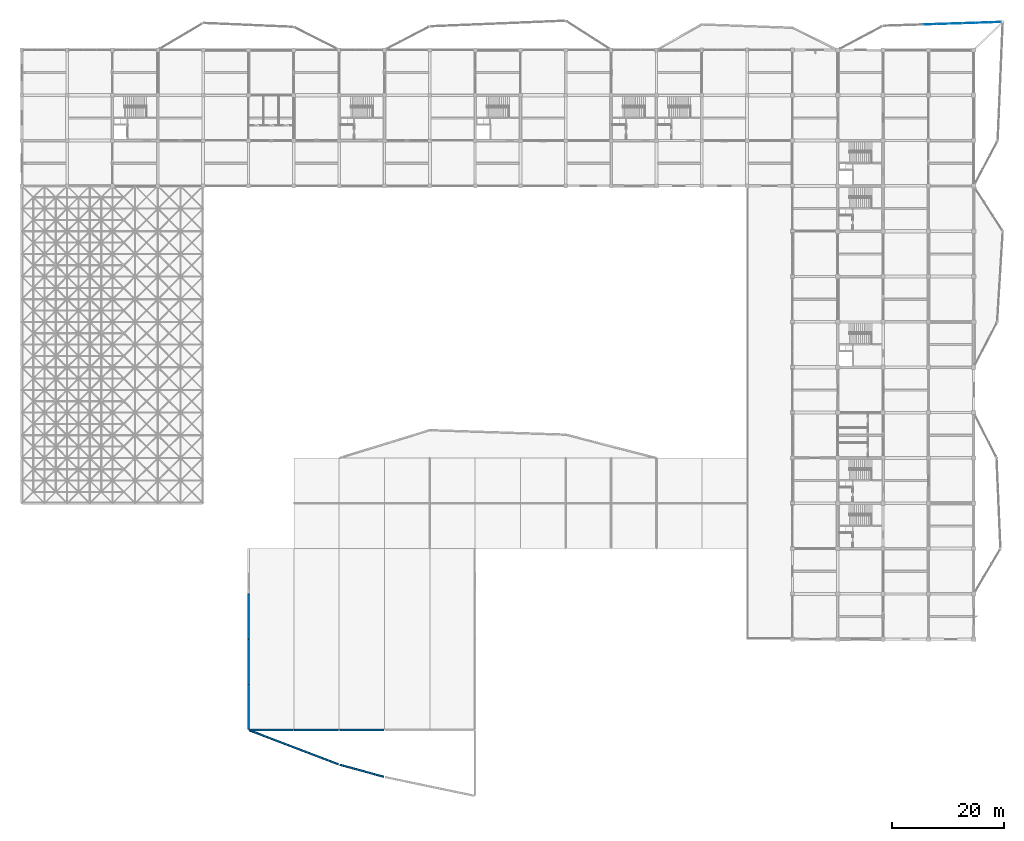
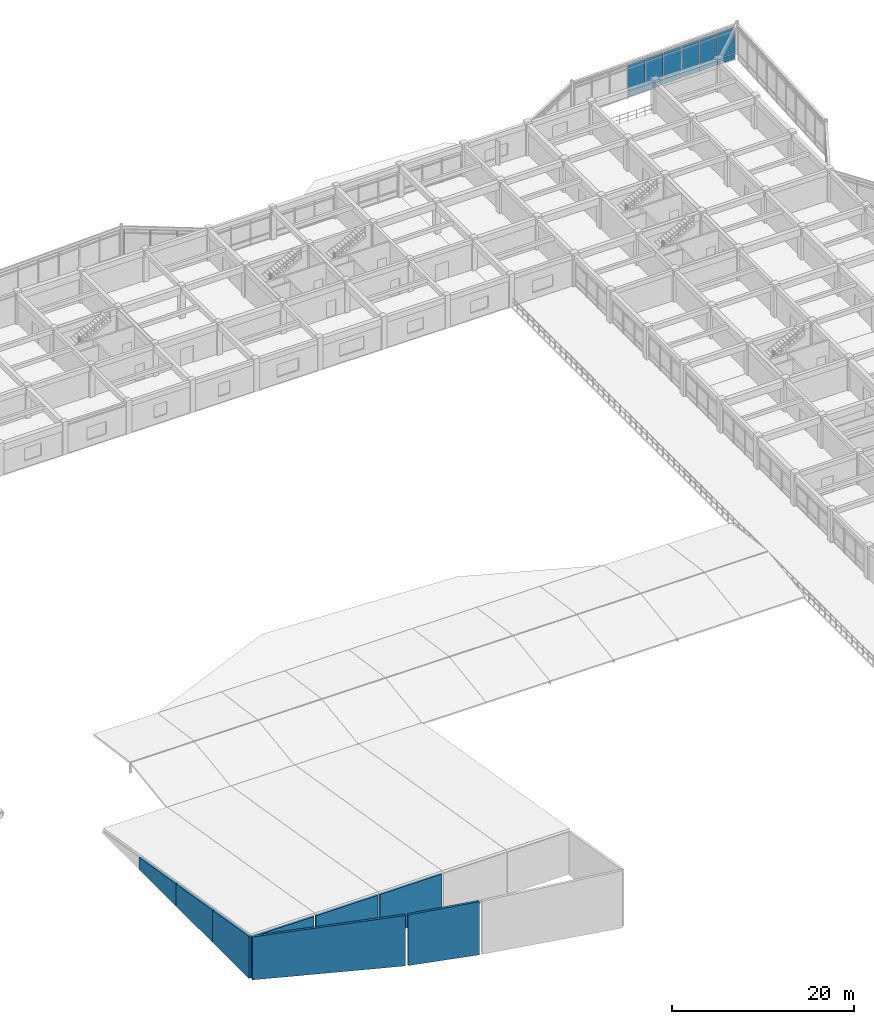
# One storey, part 45 of 70: 12 plates, 8 walls, 2 elements without a shape of their own.
"""IFC4 building model written with IfcOpenShell, lengths in metres."""

import ifcopenshell
import ifcopenshell.guid

model = None  # the IFC model being written
_history = None  # IfcOwnerHistory: only IFC2X3 demands one
_inside = {}  # id of a spatial element -> (the spatial element, [elements in it])
_under = {}  # id of a project, library or spatial element -> (it, [spatial elements below it])
_declared = {}  # id of a project -> (the project, [libraries it declares])
_typed = {}  # id of a type object -> (the type object, [elements of that type])
_made_of = {}  # id of a material, layer set ... -> (it, [elements and type objects made of it])


def new_model(schema):
    """Start an empty IFC model of exactly this schema.

    Asked for "IFC4X3", IfcOpenShell would pick the latest addendum, in which some entities
    have other attributes; the version numbers below select the first issue.
    IFC2X3 requires an IfcOwnerHistory on every rooted entity: one is made here for all.
    """
    global model, _history
    if schema == "IFC4X3":
        model = ifcopenshell.file(schema_version=(4, 3, 0, 0))
    else:
        model = ifcopenshell.file(schema=schema)
    _inside.clear()
    _under.clear()
    _declared.clear()
    _typed.clear()
    _made_of.clear()
    _history = None
    if model.schema == "IFC2X3":
        org = make("IfcOrganization", Name="unknown")
        user = make(
            "IfcPersonAndOrganization",
            ThePerson=make("IfcPerson", FamilyName="unknown"),
            TheOrganization=org,
        )
        app = make(
            "IfcApplication",
            ApplicationDeveloper=org,
            Version="unknown",
            ApplicationFullName="unknown",
            ApplicationIdentifier="unknown",
        )
        _history = make(
            "IfcOwnerHistory",
            OwningUser=user,
            OwningApplication=app,
            ChangeAction="ADDED",
            CreationDate=0,
        )
    return model


def make(cls, **values):
    """One entity of the class cls with the attributes given. An attribute that is None is left unset."""
    return model.create_entity(
        cls, **{name: value for name, value in values.items() if value is not None}
    )


def rooted(cls, **values):
    """An entity with a GlobalId (a new one), such as an element, a storey or a relation."""
    return make(cls, GlobalId=ifcopenshell.guid.new(), OwnerHistory=_history, **values)


def si_unit(unit_type, name, prefix=None):
    """IfcSIUnit, for example si_unit("LENGTHUNIT", "METRE", prefix="MILLI")."""
    return make("IfcSIUnit", UnitType=unit_type, Prefix=prefix, Name=name)


def assignment(units):
    """IfcUnitAssignment: the units of a project."""
    return None if units is None else make("IfcUnitAssignment", Units=units)


def point(xyz):
    """IfcCartesianPoint."""
    return None if xyz is None else make("IfcCartesianPoint", Coordinates=xyz)


def direction(xyz):
    """IfcDirection."""
    return None if xyz is None else make("IfcDirection", DirectionRatios=xyz)


def frame(location, z_axis=None, x_axis=None):
    """IfcAxis2Placement3D, a coordinate frame: its origin and axes. An axis left out is left unset."""
    return make(
        "IfcAxis2Placement3D",
        Location=point(location),
        Axis=direction(z_axis),
        RefDirection=direction(x_axis),
    )


def frame_2d(location, x_axis=None):
    """IfcAxis2Placement2D, a coordinate frame in the plane: its origin and x axis."""
    return make(
        "IfcAxis2Placement2D", Location=point(location), RefDirection=direction(x_axis)
    )


def origin():
    """The frame at (0, 0, 0) with its axes left unset."""
    return frame((0.0, 0.0, 0.0))


def origin_2d():
    """The frame at (0, 0) in the plane with its x axis left unset."""
    return frame_2d((0.0, 0.0))


def place(relative_to, where):
    """IfcLocalPlacement: puts the frame where relative to a parent placement (None: the world)."""
    return make(
        "IfcLocalPlacement", PlacementRelTo=relative_to, RelativePlacement=where
    )


def context(
    kind, dimensions, precision=None, world=None, true_north=None, identifier=None
):
    """IfcGeometricRepresentationContext, for example the 3D "Model" context."""
    return make(
        "IfcGeometricRepresentationContext",
        ContextIdentifier=identifier,
        ContextType=kind,
        CoordinateSpaceDimension=dimensions,
        Precision=precision,
        WorldCoordinateSystem=world,
        TrueNorth=true_north,
    )


def subcontext(parent, identifier, kind, view, scale=None):
    """IfcGeometricRepresentationSubContext, for example "Body" below "Model"."""
    return make(
        "IfcGeometricRepresentationSubContext",
        ContextIdentifier=identifier,
        ContextType=kind,
        ParentContext=parent,
        TargetScale=scale,
        TargetView=view,
    )


def project(units=None, contexts=None):
    """IfcProject with its units and contexts."""
    return rooted(
        "IfcProject",
        Name="project",
        RepresentationContexts=contexts,
        UnitsInContext=assignment(units),
    )


def spatial(cls, under=None, at=None, **own):
    """A site, building, storey or space (cls), placed at a placement, below another one or the project."""
    s = rooted(cls, ObjectPlacement=at, **own)
    if under is not None:
        _under.setdefault(under.id(), (under, []))[1].append(s)
    return s


def polyline(points):
    """IfcPolyline through the points."""
    return make("IfcPolyline", Points=[point(p) for p in points])


def profile(cls, at=None, kind="AREA", **sizes):
    """A parametric profile (cls). Its sizes go by their IFC names, for example OverallWidth=200.0."""
    return make(cls, ProfileType=kind, Position=at, **sizes)


def rectangle(**sizes):
    """IfcRectangleProfileDef."""
    return profile("IfcRectangleProfileDef", **sizes)


def outline(outer, holes=None, kind="AREA"):
    """IfcArbitraryClosedProfileDef: a profile drawn as a closed curve; with holes, ...WithVoids."""
    if holes is None:
        return make("IfcArbitraryClosedProfileDef", ProfileType=kind, OuterCurve=outer)
    return make(
        "IfcArbitraryProfileDefWithVoids",
        ProfileType=kind,
        OuterCurve=outer,
        InnerCurves=holes,
    )


def extrude(swept, where, along, depth):
    """IfcExtrudedAreaSolid: the profile swept, set in the frame where, extruded along a direction by depth."""
    return make(
        "IfcExtrudedAreaSolid",
        SweptArea=swept,
        Position=where,
        ExtrudedDirection=direction(along),
        Depth=depth,
    )


def shape(context_of_items, identifier, shape_type, items):
    """IfcShapeRepresentation: the items that make up one representation, for example the "Body"."""
    return make(
        "IfcShapeRepresentation",
        ContextOfItems=context_of_items,
        RepresentationIdentifier=identifier,
        RepresentationType=shape_type,
        Items=items,
    )


def material(Name=None, Category=None):
    """IfcMaterial."""
    return make("IfcMaterial", Name=Name, Category=Category)


def layer(
    of_material, thickness, ventilated=None, Name=None, Category=None, Priority=None
):
    """IfcMaterialLayer: one layer of a wall or slab, of a material (None: an air gap)."""
    return make(
        "IfcMaterialLayer",
        Material=of_material,
        LayerThickness=thickness,
        IsVentilated=ventilated,
        Name=Name,
        Category=Category,
        Priority=Priority,
    )


def layer_set(layers, Name=None):
    """IfcMaterialLayerSet."""
    return make("IfcMaterialLayerSet", MaterialLayers=layers, LayerSetName=Name)


def made_of(thing, what):
    """Note that an element or type object is made of a material, layer set ...; save() writes the relation."""
    if what is not None:
        _made_of.setdefault(what.id(), (what, []))[1].append(thing)
    return thing


def type_object(cls, material=None, **own):
    """A type object (cls), such as IfcWallType, which elements share."""
    return made_of(rooted(cls, **own), material)


def element(
    cls,
    number,
    at=None,
    inside=None,
    cuts=None,
    type_object=None,
    material=None,
    context=None,
    identifier="Body",
    shape_type=None,
    held_by="IfcProductDefinitionShape",
    body=None,
    shapes=None,
    **own,
):
    """One element of the class cls, such as IfcWall. Its Tag is "e" and its number.

    at: its placement. inside: the storey or other place that contains it. cuts: it is an
    opening in that element (IfcRelVoidsElement). A single representation is given by context,
    identifier, shape_type and body (its items); several are given by shapes. held_by: the class
    of the entity that holds the representations. save() writes the other relations.
    """
    e = rooted(cls, Tag="e%d" % number, ObjectPlacement=at, **own)
    if body is not None:
        shapes = [shape(context, identifier, shape_type, body)]
    if shapes is not None:
        e.Representation = make(held_by, Representations=shapes)
    if inside is not None:
        _inside.setdefault(inside.id(), (inside, []))[1].append(e)
    if cuts is not None:
        rooted(
            "IfcRelVoidsElement", RelatingBuildingElement=cuts, RelatedOpeningElement=e
        )
    if type_object is not None:
        _typed.setdefault(type_object.id(), (type_object, []))[1].append(e)
    return made_of(e, material)


def aggregate(whole, parts):
    """IfcRelAggregates: a whole, such as a stair, and the parts it consists of."""
    return rooted("IfcRelAggregates", RelatingObject=whole, RelatedObjects=parts)


def save(model, path):
    """Write the relations noted so far, then the file.

    IfcRelAggregates (storeys below a building ...), IfcRelContainedInSpatialStructure (elements
    in a storey), IfcRelDefinesByType, IfcRelAssociatesMaterial and IfcRelDeclares: one each for
    every whole, place, type object, material and project.
    """
    for whole, parts in _under.values():
        aggregate(whole, parts)
    for where, things in _inside.values():
        rooted(
            "IfcRelContainedInSpatialStructure",
            RelatedElements=things,
            RelatingStructure=where,
        )
    for kind, things in _typed.values():
        rooted("IfcRelDefinesByType", RelatedObjects=things, RelatingType=kind)
    for what, things in _made_of.values():
        rooted("IfcRelAssociatesMaterial", RelatedObjects=things, RelatingMaterial=what)
    for by, libraries in _declared.values():
        rooted("IfcRelDeclares", RelatingContext=by, RelatedDefinitions=libraries)
    model.write(path)


model = new_model("IFC4")

# Units and contexts
model_context = context("Model", 3, precision=1e-05, world=origin(), true_north=direction((0.0, 1.0)))
body_context = subcontext(model_context, "Body", "Model", "MODEL_VIEW")
ifc_project = project(units=[si_unit("LENGTHUNIT", "METRE"), si_unit("AREAUNIT", "SQUARE_METRE"), si_unit("VOLUMEUNIT", "CUBIC_METRE"), si_unit("PLANEANGLEUNIT", "RADIAN"), si_unit("MASSUNIT", "GRAM", prefix="KILO")], contexts=[model_context])

# Site, building, storey
site_placement = place(None, origin())
site = spatial("IfcSite", under=ifc_project, at=site_placement, CompositionType="ELEMENT")
building_placement = place(site_placement, origin())
building = spatial("IfcBuilding", under=site, at=building_placement, Name="Vaudrelin Polytechnic", CompositionType="ELEMENT")
storey_placement = place(building_placement, frame((0.0, 0.0, 14.110107421875)))
storey = spatial("IfcBuildingStorey", under=building, at=storey_placement, Name="L03", CompositionType="ELEMENT", Elevation=14.110107421875)

# Curtain wall, plates
ifc_material_1 = material(Name="Thermally broken anodised aluminium AA 6063-T6 and low-e triple glazing", Category="aluminium")
ifc_layer_1 = layer(ifc_material_1, 0.199951171875)
ifc_layer_set_1 = layer_set([ifc_layer_1], Name="Thermally broken anodised aluminium AA 6063-T6 and low-e triple glazing")
curtain_wall_type = type_object("IfcCurtainWallType", Name="CW-CW-LAB", PredefinedType="USERDEFINED", material=ifc_layer_set_1)
curtain_wall_1_placement = place(storey_placement, origin())
curtain_wall_1 = element("IfcCurtainWall", 1, at=curtain_wall_1_placement, inside=storey, type_object=curtain_wall_type, Name="Curtain wall L03 NEP_2_1", ObjectType="CURTAIN WALL", PredefinedType="USERDEFINED")
ifc_material_2 = material(Name="Insulated ceramic-frit spandrel glass panel", Category="glass")
ifc_layer_2 = layer(ifc_material_2, 0.052001953125)
ifc_layer_set_2 = layer_set([ifc_layer_2], Name="Insulated ceramic-frit spandrel glass panel")
plate_type_1 = type_object("IfcPlateType", Name="PLT-GLZ-SPAND", PredefinedType="CURTAIN_PANEL", material=ifc_layer_set_2)
plate_1_placement = place(storey_placement, frame((162.25537109375, 126.0732421875, -0.5400390625), z_axis=(0.0, 0.0, 1.0), x_axis=(0.999465454284, 0.032692593862, 0.0)))
plate_1 = element("IfcPlate", 2, at=plate_1_placement, type_object=plate_type_1, Name="NEP_2_1 spandrel panel 1", PredefinedType="CURTAIN_PANEL", context=body_context, shape_type="SweptSolid", body=[
    extrude(rectangle(XDim=2.220703125, YDim=0.052001953125, at=origin_2d()), origin(), (0.0, 0.0, 1.0), 0.699951171875),
])
plate_2_placement = place(storey_placement, frame((164.57470703125, 126.149169921875, -0.5400390625), z_axis=(0.0, 0.0, 1.0), x_axis=(0.999465454284, 0.032692593862, 0.0)))
plate_2 = element("IfcPlate", 3, at=plate_2_placement, type_object=plate_type_1, Name="NEP_2_1 spandrel panel 2", PredefinedType="CURTAIN_PANEL", context=body_context, shape_type="SweptSolid", body=[
    extrude(rectangle(XDim=2.220703125, YDim=0.052001953125, at=origin_2d()), origin(), (0.0, 0.0, 1.0), 0.699951171875),
])
plate_3_placement = place(storey_placement, frame((166.89404296875, 126.22509765625, -0.5400390625), z_axis=(0.0, 0.0, 1.0), x_axis=(0.999465454284, 0.032692593862, 0.0)))
plate_3 = element("IfcPlate", 4, at=plate_3_placement, type_object=plate_type_1, Name="NEP_2_1 spandrel panel 3", PredefinedType="CURTAIN_PANEL", context=body_context, shape_type="SweptSolid", body=[
    extrude(rectangle(XDim=2.220703125, YDim=0.052001953125, at=origin_2d()), origin(), (0.0, 0.0, 1.0), 0.699951171875),
])

curtain_wall_2_placement = place(storey_placement, origin())
curtain_wall_2 = element("IfcCurtainWall", 5, at=curtain_wall_2_placement, inside=storey, type_object=curtain_wall_type, Name="Curtain wall L03 NEP_2_2", ObjectType="CURTAIN WALL", PredefinedType="USERDEFINED")
plate_4_placement = place(storey_placement, frame((169.21337890625, 126.30078125, -0.5400390625), z_axis=(0.0, 0.0, 1.0), x_axis=(0.999465454284, 0.032692593862, 0.0)))
plate_4 = element("IfcPlate", 6, at=plate_4_placement, type_object=plate_type_1, Name="NEP_2_2 spandrel panel 1", PredefinedType="CURTAIN_PANEL", context=body_context, shape_type="SweptSolid", body=[
    extrude(rectangle(XDim=2.220703125, YDim=0.052001953125, at=origin_2d()), origin(), (0.0, 0.0, 1.0), 0.699951171875),
])
plate_5_placement = place(storey_placement, frame((171.53271484375, 126.376708984375, -0.5400390625), z_axis=(0.0, 0.0, 1.0), x_axis=(0.999465454284, 0.032692593862, 0.0)))
plate_5 = element("IfcPlate", 7, at=plate_5_placement, type_object=plate_type_1, Name="NEP_2_2 spandrel panel 2", PredefinedType="CURTAIN_PANEL", context=body_context, shape_type="SweptSolid", body=[
    extrude(rectangle(XDim=2.220703125, YDim=0.052001953125, at=origin_2d()), origin(), (0.0, 0.0, 1.0), 0.699951171875),
])
plate_6_placement = place(storey_placement, frame((173.85205078125, 126.45263671875, -0.5400390625), z_axis=(0.0, 0.0, 1.0), x_axis=(0.999465454284, 0.032692593862, 0.0)))
plate_6 = element("IfcPlate", 8, at=plate_6_placement, type_object=plate_type_1, Name="NEP_2_2 spandrel panel 3", PredefinedType="CURTAIN_PANEL", context=body_context, shape_type="SweptSolid", body=[
    extrude(rectangle(XDim=2.220703125, YDim=0.052001953125, at=origin_2d()), origin(), (0.0, 0.0, 1.0), 0.699951171875),
])

# Plate
ifc_material_3 = material(Name="Triple low-e argon insulated glazing unit", Category="glass")
ifc_layer_3 = layer(ifc_material_3, 0.0439453125)
ifc_layer_set_3 = layer_set([ifc_layer_3], Name="Triple low-e argon insulated glazing unit")
plate_type_2 = type_object("IfcPlateType", Name="PLT-GLZ-TRIPLE", PredefinedType="CURTAIN_PANEL", material=ifc_layer_set_3)
plate_7_placement = place(storey_placement, frame((162.25537109375, 126.0732421875, 0.27001953125), z_axis=(0.0, 0.0, 1.0), x_axis=(0.999465454284, 0.032692593862, 0.0)))
plate_7 = element("IfcPlate", 9, at=plate_7_placement, type_object=plate_type_2, Name="NEP_2_1 vision panel 1", PredefinedType="CURTAIN_PANEL", context=body_context, shape_type="SweptSolid", body=[
    extrude(rectangle(XDim=2.220703125, YDim=0.0439453125, at=origin_2d()), origin(), (0.0, 0.0, 1.0), 3.43994140625),
])

plate_8_placement = place(storey_placement, frame((164.57470703125, 126.149169921875, 0.27001953125), z_axis=(0.0, 0.0, 1.0), x_axis=(0.999465454284, 0.032692593862, 0.0)))
plate_8 = element("IfcPlate", 10, at=plate_8_placement, type_object=plate_type_2, Name="NEP_2_1 vision panel 2", PredefinedType="CURTAIN_PANEL", context=body_context, shape_type="SweptSolid", body=[
    extrude(rectangle(XDim=2.220703125, YDim=0.0439453125, at=origin_2d()), origin(), (0.0, 0.0, 1.0), 3.43994140625),
])

plate_9_placement = place(storey_placement, frame((166.89404296875, 126.22509765625, 0.27001953125), z_axis=(0.0, 0.0, 1.0), x_axis=(0.999465454284, 0.032692593862, 0.0)))
plate_9 = element("IfcPlate", 11, at=plate_9_placement, type_object=plate_type_2, Name="NEP_2_1 vision panel 3", PredefinedType="CURTAIN_PANEL", context=body_context, shape_type="SweptSolid", body=[
    extrude(rectangle(XDim=2.220703125, YDim=0.0439453125, at=origin_2d()), origin(), (0.0, 0.0, 1.0), 3.43994140625),
])

aggregate(curtain_wall_1, [plate_1, plate_7, plate_2, plate_8, plate_3, plate_9])

plate_10_placement = place(storey_placement, frame((169.21337890625, 126.30078125, 0.27001953125), z_axis=(0.0, 0.0, 1.0), x_axis=(0.999465454284, 0.032692593862, 0.0)))
plate_10 = element("IfcPlate", 12, at=plate_10_placement, type_object=plate_type_2, Name="NEP_2_2 vision panel 1", PredefinedType="CURTAIN_PANEL", context=body_context, shape_type="SweptSolid", body=[
    extrude(rectangle(XDim=2.220703125, YDim=0.0439453125, at=origin_2d()), origin(), (0.0, 0.0, 1.0), 3.43994140625),
])

plate_11_placement = place(storey_placement, frame((171.53271484375, 126.376708984375, 0.27001953125), z_axis=(0.0, 0.0, 1.0), x_axis=(0.999465454284, 0.032692593862, 0.0)))
plate_11 = element("IfcPlate", 13, at=plate_11_placement, type_object=plate_type_2, Name="NEP_2_2 vision panel 2", PredefinedType="CURTAIN_PANEL", context=body_context, shape_type="SweptSolid", body=[
    extrude(rectangle(XDim=2.220703125, YDim=0.0439453125, at=origin_2d()), origin(), (0.0, 0.0, 1.0), 3.43994140625),
])

plate_12_placement = place(storey_placement, frame((173.85205078125, 126.45263671875, 0.27001953125), z_axis=(0.0, 0.0, 1.0), x_axis=(0.999465454284, 0.032692593862, 0.0)))
plate_12 = element("IfcPlate", 14, at=plate_12_placement, type_object=plate_type_2, Name="NEP_2_2 vision panel 3", PredefinedType="CURTAIN_PANEL", context=body_context, shape_type="SweptSolid", body=[
    extrude(rectangle(XDim=2.220703125, YDim=0.0439453125, at=origin_2d()), origin(), (0.0, 0.0, 1.0), 3.43994140625),
])

aggregate(curtain_wall_2, [plate_4, plate_10, plate_5, plate_11, plate_6, plate_12])

# Walls
ifc_material_4 = material(Name="Precast concrete 35 MPa with standing-seam zinc rainscreen", Category="concrete")
ifc_layer_4 = layer(ifc_material_4, 0.300048828125)
ifc_layer_set_4 = layer_set([ifc_layer_4], Name="Precast concrete 35 MPa with standing-seam zinc rainscreen")
wall_type = type_object("IfcWallType", Name="WAL-EW-CLER300", PredefinedType="STANDARD", material=ifc_layer_set_4)
wall_1_placement = place(storey_placement, frame((40.6240234375, 0.0, -0.280029296875), z_axis=(0.0, 0.0, 1.0), x_axis=(1.0, 0.0, 0.0)))
element("IfcWall", 15, at=wall_1_placement, inside=storey, type_object=wall_type, Name="Lecture wedge high-side fascia wall 5", PredefinedType="STANDARD", context=body_context, shape_type="SweptSolid", body=[
    extrude(rectangle(XDim=7.85205078125, YDim=0.300048828125, at=frame_2d((3.926025390625, 0.0))), origin(), (0.0, 0.0, 1.0), 5.69189453125),
])
wall_2_placement = place(storey_placement, frame((48.72412109375, 0.0, -0.280029296875), z_axis=(0.0, 0.0, 1.0), x_axis=(1.0, 0.0, 0.0)))
element("IfcWall", 16, at=wall_2_placement, inside=storey, type_object=wall_type, Name="Lecture wedge high-side fascia wall 6", PredefinedType="STANDARD", context=body_context, shape_type="SweptSolid", body=[
    extrude(rectangle(XDim=7.851806640625, YDim=0.300048828125, at=frame_2d((3.92578125, 0.0))), origin(), (0.0, 0.0, 1.0), 5.69189453125),
])
wall_3_placement = place(storey_placement, frame((56.823974609375, 0.0, -0.280029296875), z_axis=(0.0, 0.0, 1.0), x_axis=(1.0, 0.0, 0.0)))
element("IfcWall", 17, at=wall_3_placement, inside=storey, type_object=wall_type, Name="Lecture wedge high-side fascia wall 7", PredefinedType="STANDARD", context=body_context, shape_type="SweptSolid", body=[
    extrude(rectangle(XDim=7.85205078125, YDim=0.300048828125, at=frame_2d((3.926025390625, 0.0))), origin(), (0.0, 0.0, 1.0), 5.69189453125),
])
wall_4_placement = place(storey_placement, frame((40.5, 0.1240234375, -0.280029296875), z_axis=(0.0, 0.0, 1.0), x_axis=(0.0, 1.0, 0.0)))
element("IfcWall", 18, at=wall_4_placement, inside=storey, type_object=wall_type, Name="Lecture wedge W gable wall 1", PredefinedType="STANDARD", context=body_context, shape_type="SweptSolid", body=[
    extrude(outline(polyline([(0.0, 0.0), (7.973876953125, 0.0), (7.97412109375, 4.336669921875), (0.0, 5.671142578125), (0.0, 0.0)])), frame((0.0, 0.14990234375, 0.0), z_axis=(0.0, -1.0, 0.0), x_axis=(1.0, 0.0, 0.0)), (0.0, 0.0, 1.0), 0.300048828125),
])
wall_5_placement = place(storey_placement, frame((40.5, 8.10205078125, -0.280029296875), z_axis=(0.0, 0.0, 1.0), x_axis=(0.0, 1.0, 0.0)))
element("IfcWall", 19, at=wall_5_placement, inside=storey, type_object=wall_type, Name="Lecture wedge W gable wall 2", PredefinedType="STANDARD", context=body_context, shape_type="SweptSolid", body=[
    extrude(outline(polyline([(0.0, 0.0), (8.095947265625, 0.0), (8.095947265625, 2.981201171875), (0.0, 4.3359375), (0.0, 0.0)])), frame((0.0, 0.14990234375, 0.0), z_axis=(0.0, -1.0, 0.0), x_axis=(1.0, 0.0, 0.0)), (0.0, 0.0, 1.0), 0.300048828125),
])
wall_6_placement = place(storey_placement, frame((40.5, 16.201904296875, -0.280029296875), z_axis=(0.0, 0.0, 1.0), x_axis=(0.0, 1.0, 0.0)))
element("IfcWall", 20, at=wall_6_placement, inside=storey, type_object=wall_type, Name="Lecture wedge W gable wall 3", PredefinedType="STANDARD", context=body_context, shape_type="SweptSolid", body=[
    extrude(outline(polyline([(0.0, 0.0), (8.09619140625, 0.0), (8.095947265625, 1.625732421875), (0.0, 2.98046875), (0.0, 0.0)])), frame((0.0, 0.14990234375, 0.0), z_axis=(0.0, -1.0, 0.0), x_axis=(1.0, 0.0, 0.0)), (0.0, 0.0, 1.0), 0.300048828125),
])
wall_7_placement = place(storey_placement, frame((40.64013671875, -0.0537109375, -0.35009765625), z_axis=(0.0, 0.0, 1.0), x_axis=(0.933937540894, -0.357436245657, 0.0)))
element("IfcWall", 21, at=wall_7_placement, inside=storey, type_object=wall_type, Name="Lecture prow raked attic fascia 1", PredefinedType="STANDARD", context=body_context, shape_type="SweptSolid", body=[
    extrude(outline(polyline([(0.0, 0.0), (17.045654296875, 0.0), (17.0458984375, 6.776123046875), (0.0, 5.770751953125), (0.0, 0.0)])), frame((0.0, 0.14990234375, 0.0), z_axis=(0.0, -1.0, 0.0), x_axis=(1.0, 0.0, 0.0)), (0.0, 0.0, 1.0), 0.300048828125),
])
wall_8_placement = place(storey_placement, frame((56.8447265625, -6.2392578125, -0.35009765625), z_axis=(0.0, 0.0, 1.0), x_axis=(0.96503964717, -0.262103947682, 0.0)))
element("IfcWall", 22, at=wall_8_placement, inside=storey, type_object=wall_type, Name="Lecture prow raked attic fascia 2", PredefinedType="STANDARD", context=body_context, shape_type="SweptSolid", body=[
    extrude(outline(polyline([(0.0, 0.0), (8.093505859375, 0.0), (8.093505859375, 7.141357421875), (0.0, 6.79150390625), (0.0, 0.0)])), frame((0.0, 0.14990234375, 0.0), z_axis=(0.0, -1.0, 0.0), x_axis=(1.0, 0.0, 0.0)), (0.0, 0.0, 1.0), 0.300048828125),
])

save(model, "model.ifc")
